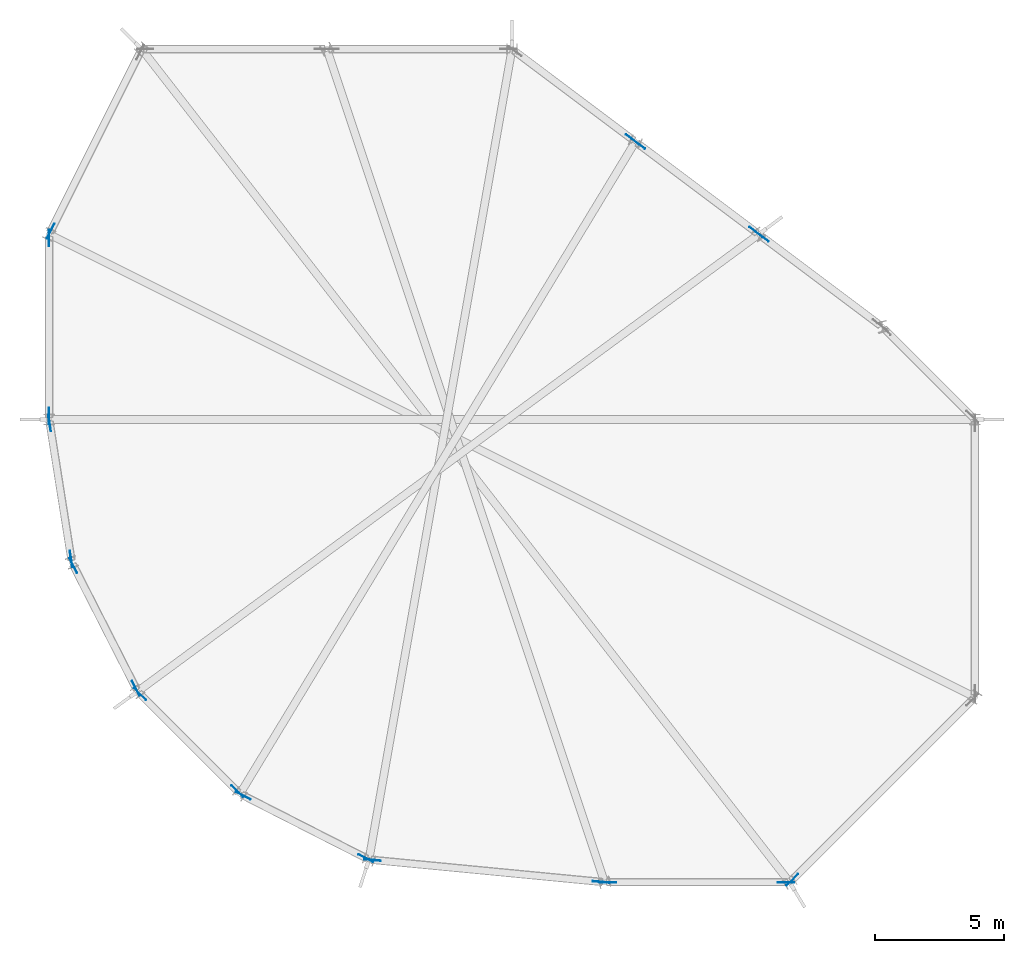
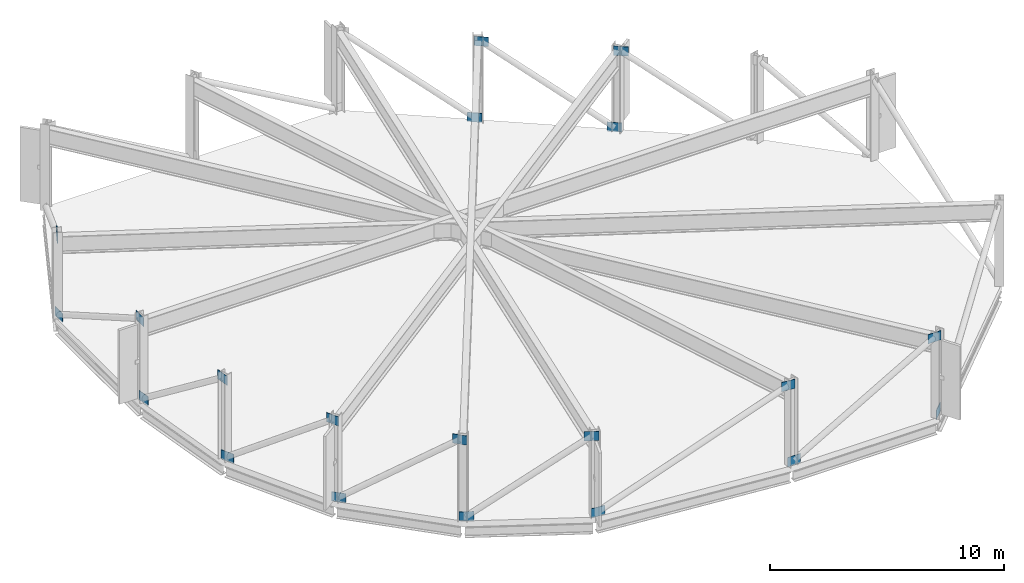
# One storey, part 2 of 5: 20 plates.
"""IFC4 building model written with IfcOpenShell, lengths in metres."""

from ifc_helpers import new_model, si_unit, direction, frame, origin, origin_2d, place, context, subcontext, project, spatial, rectangle, extrude, material, layer, layer_set, type_object, element, save


model = new_model("IFC4")

# Units and contexts
model_context = context("Model", 3, precision=1e-05, world=origin(), true_north=direction((0.0, 1.0)))
body_context = subcontext(model_context, "Body", "Model", "MODEL_VIEW")
ifc_project = project(units=[si_unit("LENGTHUNIT", "METRE"), si_unit("AREAUNIT", "SQUARE_METRE"), si_unit("VOLUMEUNIT", "CUBIC_METRE"), si_unit("PLANEANGLEUNIT", "RADIAN"), si_unit("MASSUNIT", "GRAM", prefix="KILO")], contexts=[model_context])

# Site, building, storey
site_placement = place(None, origin())
site = spatial("IfcSite", under=ifc_project, at=site_placement, CompositionType="ELEMENT")
building_placement = place(site_placement, origin())
building = spatial("IfcBuilding", under=site, at=building_placement, Name="Solnavia Interchange Tower", CompositionType="ELEMENT")
storey_placement = place(building_placement, frame((0.0, 0.0, 326.699951171875)))
storey = spatial("IfcBuildingStorey", under=building, at=storey_placement, Name="C06", CompositionType="ELEMENT", Elevation=326.699951171875)

# Plates
ifc_material = material(Name="Steel S460", Category="steel")
ifc_layer = layer(ifc_material, 0.02490234375)
ifc_layer_set = layer_set([ifc_layer], Name="Steel S460")
plate_type = type_object("IfcPlateType", Name="Plate-Gusset-640x480x25", PredefinedType="USERDEFINED", material=ifc_layer_set)
for number, where, z_axis, x_axis, name in (
    (1, (34.912109375, 28.716064453125, 3.920166015625), (0.0, 0.0, 1.0), (-0.799998928149, 0.600001429133, 0.0), "PLT-C06-GP04 Crown frame node gusset plate"),
    (2, (34.68798828125, 28.884033203125, -0.06005859375), (0.0, 0.0, 1.0), (-0.799998928149, 0.600001429133, 0.0), "PLT-C06-GP05 Crown frame node gusset plate"),
    (3, (30.112060546875, 32.31591796875, 3.920166015625), (0.0, 0.0, 1.0), (-0.799998928149, 0.600001429133, 0.0), "PLT-C06-GP06 Crown frame node gusset plate"),
    (4, (29.887939453125, 32.48388671875, -0.06005859375), (0.0, 0.0, 1.0), (-0.799998928149, 0.600001429133, 0.0), "PLT-C06-GP07 Crown frame node gusset plate"),
    (5, (7.2626953125, 28.92529296875, 3.920166015625), (0.0, 0.0, 1.0), (-0.447290848419, -0.89438856037, 0.0), "PLT-C06-GP14 Crown frame node gusset plate"),
    (6, (7.199951171875, 28.659912109375, -0.06005859375), (0.0, 0.0, 1.0), (0.0, -1.0, 0.0), "PLT-C06-GP15 Crown frame node gusset plate"),
    (7, (7.199951171875, 21.739990234375, 3.920166015625), (0.0, 0.0, 1.0), (0.0, -1.0, 0.0), "PLT-C06-GP16 Crown frame node gusset plate"),
    (8, (7.221923828125, 21.461669921875, -0.06005859375), (0.0, 0.0, 1.0), (0.15643446504, -0.987688340595, 0.0), "PLT-C06-GP17 Crown frame node gusset plate"),
    (9, (8.05908203125, 16.17626953125, 3.920166015625), (0.0, 0.0, 1.0), (0.15643446504, -0.987688340595, 0.0), "PLT-C06-GP18 Crown frame node gusset plate"),
    (10, (8.14453125, 15.913330078125, -0.06005859375), (0.0, 0.0, 1.0), (0.45399049974, -0.891006524188, 0.0), "PLT-C06-GP19 Crown frame node gusset plate"),
    (11, (10.574462890625, 11.144775390625, 3.920166015625), (0.0, 0.0, 1.0), (0.45399049974, -0.891006524188, 0.0), "PLT-C06-GP20 Crown frame node gusset plate"),
    (12, (10.737060546875, 10.9208984375, -0.06005859375), (0.0, 0.0, 1.0), (0.707106781187, -0.707106781187, 0.0), "PLT-C06-GP21 Crown frame node gusset plate"),
    (13, (14.52099609375, 7.136962890625, 3.920166015625), (0.0, 0.0, 1.0), (0.707106781187, -0.707106781187, 0.0), "PLT-C06-GP22 Crown frame node gusset plate"),
    (14, (14.74462890625, 6.974365234375, -0.06005859375), (0.0, 0.0, 1.0), (0.891006524188, -0.45399049974, 0.0), "PLT-C06-GP23 Crown frame node gusset plate"),
    (15, (19.51318359375, 4.544677734375, 3.920166015625), (0.0, 0.0, 1.0), (0.891006524188, -0.45399049974, 0.0), "PLT-C06-GP24 Crown frame node gusset plate"),
    (16, (19.77734375, 4.467529296875, -0.06005859375), (0.0, 0.0, 1.0), (0.995412911446, -0.095672021651, 0.0), "PLT-C06-GP25 Crown frame node gusset plate"),
    (17, (28.66064453125, 3.61328125, 3.920166015625), (0.0, 0.0, 1.0), (0.995412911446, -0.095672021651, 0.0), "PLT-C06-GP26 Crown frame node gusset plate"),
    (18, (28.93994140625, 3.60009765625, -0.06005859375), (0.0, 0.0, 1.0), (1.0, 0.0, 0.0), "PLT-C06-GP27 Crown frame node gusset plate"),
    (19, (35.860107421875, 3.60009765625, 3.920166015625), (0.0, 0.0, 1.0), (1.0, 0.0, 0.0), "PLT-C06-GP28 Crown frame node gusset plate"),
    (20, (36.09912109375, 3.698974609375, -0.06005859375), (0.0, 0.0, 1.0), (0.707106781187, 0.707106781187, 0.0), "PLT-C06-GP29 Crown frame node gusset plate"),
):
    element("IfcPlate", number, at=place(storey_placement, frame(where, z_axis=z_axis, x_axis=x_axis)), inside=storey, type_object=plate_type, Name=name, ObjectType="GUSSET PLATE", PredefinedType="USERDEFINED", context=body_context, shape_type="SweptSolid", body=[
        extrude(rectangle(XDim=0.639892578125, YDim=0.02490234375, at=origin_2d()), origin(), (0.0, 0.0, 1.0), 0.47998046875),
    ])

save(model, "model.ifc")
